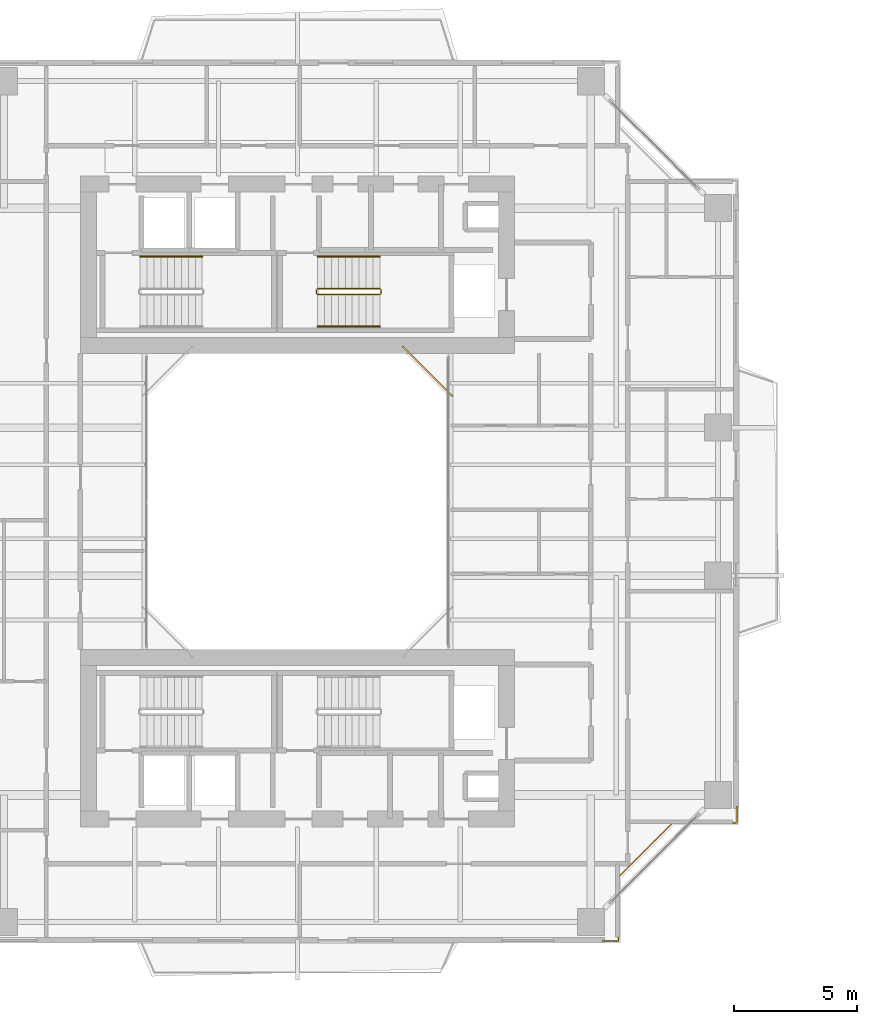
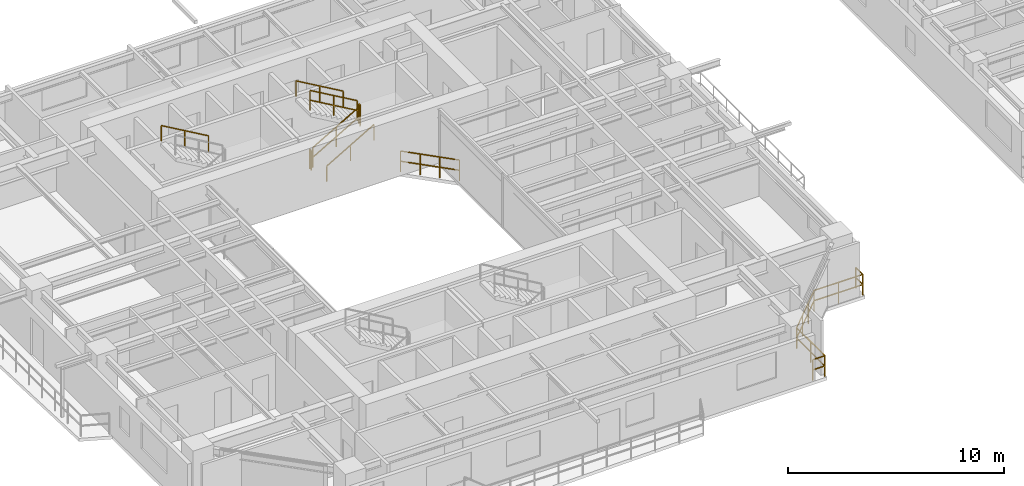
# One storey, part 21 of 23: 9 railings.
"""IFC4 building model written with IfcOpenShell, lengths in metres."""

from ifc_helpers import new_model, si_unit, direction, frame, origin, origin_2d, place, context, subcontext, project, spatial, rectangle, extrude, material, type_object, element, save


model = new_model("IFC4")

# Units and contexts
model_context = context("Model", 3, precision=1e-05, world=origin(), true_north=direction((0.0, 1.0)))
body_context = subcontext(model_context, "Body", "Model", "MODEL_VIEW")
ifc_project = project(units=[si_unit("LENGTHUNIT", "METRE"), si_unit("AREAUNIT", "SQUARE_METRE"), si_unit("VOLUMEUNIT", "CUBIC_METRE"), si_unit("PLANEANGLEUNIT", "RADIAN"), si_unit("MASSUNIT", "GRAM", prefix="KILO"), si_unit("THERMODYNAMICTEMPERATUREUNIT", "KELVIN"), si_unit("POWERUNIT", "WATT")], contexts=[model_context])

# Site, building, storey
site_placement = place(None, origin())
site = spatial("IfcSite", under=ifc_project, at=site_placement, CompositionType="ELEMENT")
building_placement = place(site_placement, origin())
building = spatial("IfcBuilding", under=site, at=building_placement, Name="Qiaomeng Ring Towers", CompositionType="ELEMENT")
storey_placement = place(building_placement, frame((0.0, 0.0, 100.25)))
storey = spatial("IfcBuildingStorey", under=building, at=storey_placement, Name="L28", CompositionType="ELEMENT", Elevation=100.25)

# Railings
ifc_material_1 = material(Name="Low-E pale-green laminated safety glass", Category="glass")
railing_type_1 = type_object("IfcRailingType", Name="ARC-RL-BAL1", PredefinedType="BALUSTRADE", material=ifc_material_1)
railing_1_placement = place(storey_placement, frame((25.280029296875, 27.280029296875, 0.0)))
element("IfcRailing", 1, at=railing_1_placement, inside=storey, type_object=railing_type_1, Name="L28 Balustrade ARC-BAL-WELL1-L28-2", PredefinedType="BALUSTRADE", context=body_context, shape_type="SweptSolid", body=[
    extrude(rectangle(XDim=0.048095703125, YDim=0.048095703125, at=origin_2d()), frame((0.0, 0.0, 1.17578125), z_axis=(-0.707106781187, 0.707106781187, 0.0), x_axis=(-0.707106781187, -0.707106781187, 0.0)), (0.0, 0.0, 1.0), 2.828369140625),
    extrude(rectangle(XDim=0.048095703125, YDim=0.048095703125, at=origin_2d()), frame((0.0, 0.0, 0.60009765625), z_axis=(-0.707106781187, 0.707106781187, 0.0), x_axis=(-0.707106781187, -0.707106781187, 0.0)), (0.0, 0.0, 1.0), 2.828369140625),
    extrude(rectangle(XDim=0.0419921875, YDim=0.0419921875, at=origin_2d()), origin(), (0.0, 0.0, 1.0), 1.15185546875),
    extrude(rectangle(XDim=0.0419921875, YDim=0.0419921875, at=origin_2d()), frame((-0.666748046875, 0.666748046875, 0.0)), (0.0, 0.0, 1.0), 1.15185546875),
    extrude(rectangle(XDim=0.0419921875, YDim=0.0419921875, at=origin_2d()), frame((-1.333251953125, 1.333251953125, 0.0)), (0.0, 0.0, 1.0), 1.15185546875),
    extrude(rectangle(XDim=0.0419921875, YDim=0.0419921875, at=origin_2d()), frame((-2.0, 2.0, 0.0)), (0.0, 0.0, 1.0), 1.15185546875),
])
railing_2_placement = place(storey_placement, frame((31.3701171875, 5.179931640625, 0.0)))
element("IfcRailing", 2, at=railing_2_placement, inside=storey, type_object=railing_type_1, Name="L28 Balustrade ARC-BAL-NOTCH1-L28-SE", PredefinedType="BALUSTRADE", context=body_context, shape_type="SweptSolid", body=[
    extrude(rectangle(XDim=0.048095703125, YDim=0.048095703125, at=origin_2d()), frame((0.0, 0.0, 1.17578125), z_axis=(1.0, 0.0, 0.0), x_axis=(0.0, 1.0, 0.0)), (0.0, 0.0, 1.0), 0.64990234375),
    extrude(rectangle(XDim=0.048095703125, YDim=0.048095703125, at=origin_2d()), frame((0.0, 0.0, 0.60009765625), z_axis=(1.0, 0.0, 0.0), x_axis=(0.0, 1.0, 0.0)), (0.0, 0.0, 1.0), 0.64990234375),
    extrude(rectangle(XDim=0.048095703125, YDim=0.048095703125, at=origin_2d()), frame((0.64990234375, 0.0, 1.17578125), z_axis=(0.0, 1.0, 0.0), x_axis=(-1.0, 0.0, 0.0)), (0.0, 0.0, 1.0), 2.60009765625),
    extrude(rectangle(XDim=0.048095703125, YDim=0.048095703125, at=origin_2d()), frame((0.64990234375, 0.0, 0.60009765625), z_axis=(0.0, 1.0, 0.0), x_axis=(-1.0, 0.0, 0.0)), (0.0, 0.0, 1.0), 2.60009765625),
    extrude(rectangle(XDim=0.048095703125, YDim=0.048095703125, at=origin_2d()), frame((0.64990234375, 2.60009765625, 1.17578125), z_axis=(0.707106781187, 0.707106781187, 0.0), x_axis=(-0.707106781187, 0.707106781187, 0.0)), (0.0, 0.0, 1.0), 3.111083984375),
    extrude(rectangle(XDim=0.048095703125, YDim=0.048095703125, at=origin_2d()), frame((0.64990234375, 2.60009765625, 0.60009765625), z_axis=(0.707106781187, 0.707106781187, 0.0), x_axis=(-0.707106781187, 0.707106781187, 0.0)), (0.0, 0.0, 1.0), 3.111083984375),
    extrude(rectangle(XDim=0.048095703125, YDim=0.048095703125, at=origin_2d()), frame((2.849853515625, 4.800048828125, 1.17578125), z_axis=(1.0, 0.0, 0.0), x_axis=(0.0, 1.0, 0.0)), (0.0, 0.0, 1.0), 2.60009765625),
    extrude(rectangle(XDim=0.048095703125, YDim=0.048095703125, at=origin_2d()), frame((2.849853515625, 4.800048828125, 0.60009765625), z_axis=(1.0, 0.0, 0.0), x_axis=(0.0, 1.0, 0.0)), (0.0, 0.0, 1.0), 2.60009765625),
    extrude(rectangle(XDim=0.048095703125, YDim=0.048095703125, at=origin_2d()), frame((5.449951171875, 4.800048828125, 1.17578125), z_axis=(0.0, 1.0, 0.0), x_axis=(-1.0, 0.0, 0.0)), (0.0, 0.0, 1.0), 0.64990234375),
    extrude(rectangle(XDim=0.048095703125, YDim=0.048095703125, at=origin_2d()), frame((5.449951171875, 4.800048828125, 0.60009765625), z_axis=(0.0, 1.0, 0.0), x_axis=(-1.0, 0.0, 0.0)), (0.0, 0.0, 1.0), 0.64990234375),
    extrude(rectangle(XDim=0.0419921875, YDim=0.0419921875, at=origin_2d()), origin(), (0.0, 0.0, 1.0), 1.15185546875),
    extrude(rectangle(XDim=0.0419921875, YDim=0.0419921875, at=origin_2d()), frame((0.64990234375, 0.0, 0.0)), (0.0, 0.0, 1.0), 1.15185546875),
    extrude(rectangle(XDim=0.0419921875, YDim=0.0419921875, at=origin_2d()), frame((0.64990234375, 1.300048828125, 0.0)), (0.0, 0.0, 1.0), 1.15185546875),
    extrude(rectangle(XDim=0.0419921875, YDim=0.0419921875, at=origin_2d()), frame((0.64990234375, 2.60009765625, 0.0)), (0.0, 0.0, 1.0), 1.15185546875),
    extrude(rectangle(XDim=0.0419921875, YDim=0.0419921875, at=origin_2d()), frame((1.38330078125, 3.33349609375, 0.0)), (0.0, 0.0, 1.0), 1.15185546875),
    extrude(rectangle(XDim=0.0419921875, YDim=0.0419921875, at=origin_2d()), frame((2.116455078125, 4.066650390625, 0.0)), (0.0, 0.0, 1.0), 1.15185546875),
    extrude(rectangle(XDim=0.0419921875, YDim=0.0419921875, at=origin_2d()), frame((2.849853515625, 4.800048828125, 0.0)), (0.0, 0.0, 1.0), 1.15185546875),
    extrude(rectangle(XDim=0.0419921875, YDim=0.0419921875, at=origin_2d()), frame((4.14990234375, 4.800048828125, 0.0)), (0.0, 0.0, 1.0), 1.15185546875),
    extrude(rectangle(XDim=0.0419921875, YDim=0.0419921875, at=origin_2d()), frame((5.449951171875, 4.800048828125, 0.0)), (0.0, 0.0, 1.0), 1.15185546875),
    extrude(rectangle(XDim=0.0419921875, YDim=0.0419921875, at=origin_2d()), frame((5.449951171875, 5.449951171875, 0.0)), (0.0, 0.0, 1.0), 1.15185546875),
])
ifc_material_2 = material(Name="Galvanised steel", Category="steel")
railing_type_2 = type_object("IfcRailingType", Name="ARC-RL-GUARD", PredefinedType="GUARDRAIL", material=ifc_material_2)
railing_3_placement = place(storey_placement, frame((19.820068359375, 31.39990234375, 0.16259765625)))
element("IfcRailing", 3, at=railing_3_placement, inside=storey, type_object=railing_type_2, Name="L28 ST2 stair guard 1", PredefinedType="GUARDRAIL", context=body_context, shape_type="SweptSolid", body=[
    extrude(rectangle(XDim=0.048095703125, YDim=0.048095703125, at=origin_2d()), frame((0.0, 0.0, 1.1259765625), z_axis=(0.864913338283, 0.0, 0.50192122615), x_axis=(0.0, 1.0, 0.0)), (0.0, 0.0, 1.0), 2.91357421875),
    extrude(rectangle(XDim=0.048095703125, YDim=0.048095703125, at=origin_2d()), frame((0.0, 0.0, 0.574951171875), z_axis=(0.864913338283, 0.0, 0.50192122615), x_axis=(0.0, 1.0, 0.0)), (0.0, 0.0, 1.0), 2.91357421875),
    extrude(rectangle(XDim=0.0419921875, YDim=0.0419921875, at=origin_2d()), origin(), (0.0, 0.0, 1.0), 1.101806640625),
    extrude(rectangle(XDim=0.0419921875, YDim=0.0419921875, at=origin_2d()), frame((1.260009765625, 0.0, 0.731201171875)), (0.0, 0.0, 1.0), 1.101806640625),
    extrude(rectangle(XDim=0.0419921875, YDim=0.0419921875, at=origin_2d()), frame((2.52001953125, 0.0, 1.46240234375)), (0.0, 0.0, 1.0), 1.101806640625),
])
railing_4_placement = place(storey_placement, frame((22.389892578125, 31.449951171875, 1.625)))
element("IfcRailing", 4, at=railing_4_placement, inside=storey, type_object=railing_type_2, Name="L28 ST2 stair guard 2", PredefinedType="GUARDRAIL", context=body_context, shape_type="SweptSolid", body=[
    extrude(rectangle(XDim=0.048095703125, YDim=0.048095703125, at=origin_2d()), frame((0.0, 0.0, 1.1259765625), z_axis=(0.0, 1.0, 0.0), x_axis=(-1.0, 0.0, 0.0)), (0.0, 0.0, 1.0), 0.14013671875),
    extrude(rectangle(XDim=0.048095703125, YDim=0.048095703125, at=origin_2d()), frame((0.0, 0.0, 0.574951171875), z_axis=(0.0, 1.0, 0.0), x_axis=(-1.0, 0.0, 0.0)), (0.0, 0.0, 1.0), 0.14013671875),
    extrude(rectangle(XDim=0.0419921875, YDim=0.0419921875, at=origin_2d()), origin(), (0.0, 0.0, 1.0), 1.101806640625),
    extrude(rectangle(XDim=0.0419921875, YDim=0.0419921875, at=origin_2d()), frame((0.0, 0.14013671875, 0.0)), (0.0, 0.0, 1.0), 1.101806640625),
])
railing_5_placement = place(storey_placement, frame((22.340087890625, 31.639892578125, 1.78759765625)))
element("IfcRailing", 5, at=railing_5_placement, inside=storey, type_object=railing_type_2, Name="L28 ST2 stair guard 3", PredefinedType="GUARDRAIL", context=body_context, shape_type="SweptSolid", body=[
    extrude(rectangle(XDim=0.048095703125, YDim=0.048095703125, at=origin_2d()), frame((0.0, 0.0, 1.1259765625), z_axis=(-0.864913338283, 0.0, 0.50192122615), x_axis=(0.0, -1.0, 0.0)), (0.0, 0.0, 1.0), 2.91357421875),
    extrude(rectangle(XDim=0.048095703125, YDim=0.048095703125, at=origin_2d()), frame((0.0, 0.0, 0.574951171875), z_axis=(-0.864913338283, 0.0, 0.50192122615), x_axis=(0.0, -1.0, 0.0)), (0.0, 0.0, 1.0), 2.91357421875),
    extrude(rectangle(XDim=0.0419921875, YDim=0.0419921875, at=origin_2d()), origin(), (0.0, 0.0, 1.0), 1.101806640625),
    extrude(rectangle(XDim=0.0419921875, YDim=0.0419921875, at=origin_2d()), frame((-1.260009765625, 0.0, 0.731201171875)), (0.0, 0.0, 1.0), 1.101806640625),
    extrude(rectangle(XDim=0.0419921875, YDim=0.0419921875, at=origin_2d()), frame((-2.52001953125, 0.0, 1.46240234375)), (0.0, 0.0, 1.0), 1.101806640625),
])
railing_6_placement = place(storey_placement, frame((19.77001953125, 31.449951171875, 0.0)))
element("IfcRailing", 6, at=railing_6_placement, inside=storey, type_object=railing_type_2, Name="L28 ST2 stair guard 4", PredefinedType="GUARDRAIL", context=body_context, shape_type="SweptSolid", body=[
    extrude(rectangle(XDim=0.048095703125, YDim=0.048095703125, at=origin_2d()), frame((0.0, 0.0, 1.1259765625), z_axis=(0.0, 1.0, 0.0), x_axis=(-1.0, 0.0, 0.0)), (0.0, 0.0, 1.0), 0.14013671875),
    extrude(rectangle(XDim=0.048095703125, YDim=0.048095703125, at=origin_2d()), frame((0.0, 0.0, 0.574951171875), z_axis=(0.0, 1.0, 0.0), x_axis=(-1.0, 0.0, 0.0)), (0.0, 0.0, 1.0), 0.14013671875),
    extrude(rectangle(XDim=0.0419921875, YDim=0.0419921875, at=origin_2d()), origin(), (0.0, 0.0, 1.0), 1.101806640625),
    extrude(rectangle(XDim=0.0419921875, YDim=0.0419921875, at=origin_2d()), frame((0.0, 0.14013671875, 0.0)), (0.0, 0.0, 1.0), 1.101806640625),
])
ifc_material_3 = material(Name="Stainless steel 316", Category="steel")
railing_type_3 = type_object("IfcRailingType", Name="ARC-RL-HAND", PredefinedType="HANDRAIL", material=ifc_material_3)
railing_7_placement = place(storey_placement, frame((15.139892578125, 32.93994140625, 1.78759765625)))
element("IfcRailing", 7, at=railing_7_placement, inside=storey, type_object=railing_type_3, Name="L28 ST1 stair handrail 2", PredefinedType="HANDRAIL", context=body_context, shape_type="SweptSolid", body=[
    extrude(rectangle(XDim=0.048095703125, YDim=0.048095703125, at=origin_2d()), frame((0.0, 0.0, 0.8759765625), z_axis=(-0.864892226395, 0.0, 0.501957604506), x_axis=(0.0, -1.0, 0.0)), (0.0, 0.0, 1.0), 2.913330078125),
    extrude(rectangle(XDim=0.0419921875, YDim=0.0419921875, at=origin_2d()), origin(), (0.0, 0.0, 1.0), 0.851806640625),
    extrude(rectangle(XDim=0.0419921875, YDim=0.0419921875, at=origin_2d()), frame((-1.259765625, 0.0, 0.731201171875)), (0.0, 0.0, 1.0), 0.851806640625),
    extrude(rectangle(XDim=0.0419921875, YDim=0.0419921875, at=origin_2d()), frame((-2.519775390625, 0.0, 1.46240234375)), (0.0, 0.0, 1.0), 0.851806640625),
])
railing_8_placement = place(storey_placement, frame((19.820068359375, 30.10009765625, 0.16259765625)))
element("IfcRailing", 8, at=railing_8_placement, inside=storey, type_object=railing_type_3, Name="L28 ST2 stair handrail 1", PredefinedType="HANDRAIL", context=body_context, shape_type="SweptSolid", body=[
    extrude(rectangle(XDim=0.048095703125, YDim=0.048095703125, at=origin_2d()), frame((0.0, 0.0, 0.8759765625), z_axis=(0.864913338283, 0.0, 0.50192122615), x_axis=(0.0, 1.0, 0.0)), (0.0, 0.0, 1.0), 2.91357421875),
    extrude(rectangle(XDim=0.0419921875, YDim=0.0419921875, at=origin_2d()), origin(), (0.0, 0.0, 1.0), 0.851806640625),
    extrude(rectangle(XDim=0.0419921875, YDim=0.0419921875, at=origin_2d()), frame((1.260009765625, 0.0, 0.731201171875)), (0.0, 0.0, 1.0), 0.851806640625),
    extrude(rectangle(XDim=0.0419921875, YDim=0.0419921875, at=origin_2d()), frame((2.52001953125, 0.0, 1.46240234375)), (0.0, 0.0, 1.0), 0.851806640625),
])
railing_9_placement = place(storey_placement, frame((22.340087890625, 32.93994140625, 1.78759765625)))
element("IfcRailing", 9, at=railing_9_placement, inside=storey, type_object=railing_type_3, Name="L28 ST2 stair handrail 2", PredefinedType="HANDRAIL", context=body_context, shape_type="SweptSolid", body=[
    extrude(rectangle(XDim=0.048095703125, YDim=0.048095703125, at=origin_2d()), frame((0.0, 0.0, 0.8759765625), z_axis=(-0.864913338283, 0.0, 0.50192122615), x_axis=(0.0, -1.0, 0.0)), (0.0, 0.0, 1.0), 2.91357421875),
    extrude(rectangle(XDim=0.0419921875, YDim=0.0419921875, at=origin_2d()), origin(), (0.0, 0.0, 1.0), 0.851806640625),
    extrude(rectangle(XDim=0.0419921875, YDim=0.0419921875, at=origin_2d()), frame((-1.260009765625, 0.0, 0.731201171875)), (0.0, 0.0, 1.0), 0.851806640625),
    extrude(rectangle(XDim=0.0419921875, YDim=0.0419921875, at=origin_2d()), frame((-2.52001953125, 0.0, 1.46240234375)), (0.0, 0.0, 1.0), 0.851806640625),
])

save(model, "model.ifc")
